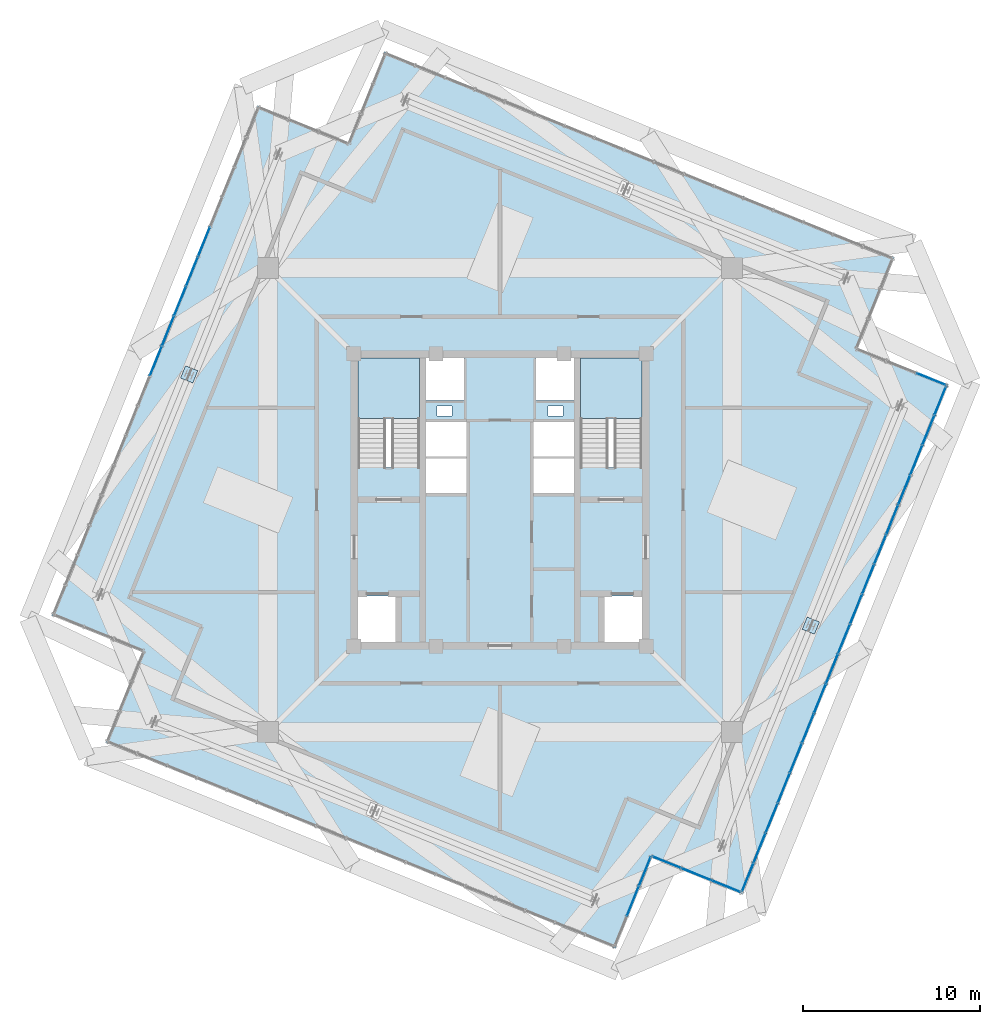
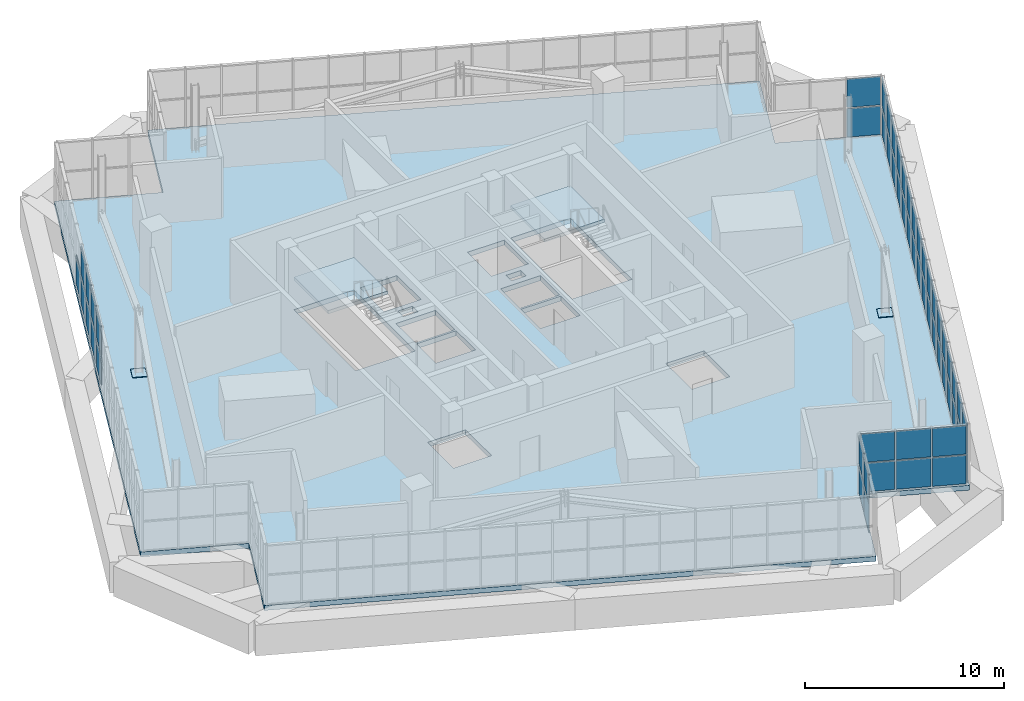
# One storey, part 28 of 35: 57 plates, 3 slabs, 7 elements without a shape of their own.
"""IFC4 building model written with IfcOpenShell, lengths in metres."""

from ifc_helpers import new_model, si_unit, direction, frame, origin, origin_2d, place, context, subcontext, project, spatial, polyline, rectangle, outline, extrude, source, transform, mapped, material, layer, layer_set, type_object, element, aggregate, save


model = new_model("IFC4")

# Units and contexts
model_context = context("Model", 3, precision=1e-05, world=origin(), true_north=direction((0.0, 1.0)))
body_context = subcontext(model_context, "Body", "Model", "MODEL_VIEW")
ifc_project = project(units=[si_unit("LENGTHUNIT", "METRE"), si_unit("AREAUNIT", "SQUARE_METRE"), si_unit("VOLUMEUNIT", "CUBIC_METRE"), si_unit("PLANEANGLEUNIT", "RADIAN"), si_unit("MASSUNIT", "GRAM", prefix="KILO"), si_unit("THERMODYNAMICTEMPERATUREUNIT", "KELVIN")], contexts=[model_context])

# Site, building, storey
site_placement = place(None, origin())
site = spatial("IfcSite", under=ifc_project, at=site_placement, CompositionType="ELEMENT")
building_placement = place(site_placement, origin())
building = spatial("IfcBuilding", under=site, at=building_placement, Name="Kosmvard Interchange Tower", CompositionType="ELEMENT")
storey_placement = place(building_placement, frame((0.0, 0.0, 321.60009765625)))
storey = spatial("IfcBuildingStorey", under=building, at=storey_placement, Name="L79", CompositionType="ELEMENT", Elevation=321.60009765625)

# Slab
ifc_material_1 = material(Name="Concrete C50/60", Category="concrete")
ifc_layer_1 = layer(ifc_material_1, 0.300048828125, Name="Concrete C50/60")
ifc_layer_set_1 = layer_set([ifc_layer_1], Name="Concrete C50/60")
slab_type_1 = type_object("IfcSlabType", Name="Crown Plant Equipment Slab 300 C50/60", PredefinedType="FLOOR", material=ifc_layer_set_1)
slab_1_placement = place(storey_placement, frame((0.0, 0.0, -0.300048828125)))
element("IfcSlab", 1, at=slab_1_placement, inside=storey, type_object=slab_type_1, Name="L79 Structural Floor Slab", PredefinedType="FLOOR", context=body_context, shape_type="SweptSolid", body=[
    extrude(outline(polyline([(13.66455078125, -22.238037109375), (25.27734375, 6.504638671875), (20.177734375, 8.56494140625), (22.238037109375, 13.66455078125), (-6.504638671875, 25.27734375), (-8.56494140625, 20.177734375), (-13.66455078125, 22.238037109375), (-25.27734375, -6.504638671875), (-20.177734375, -8.56494140625), (-22.238037109375, -13.66455078125), (6.504638671875, -25.27734375), (8.56494140625, -20.177734375), (13.66455078125, -22.238037109375)]), holes=[polyline([(-8.0, 1.8349609375), (-4.5400390625, 1.8349609375), (-4.5400390625, 8.0), (-8.0, 8.0), (-8.0, 1.8349609375)]), polyline([(4.5400390625, 1.8349609375), (8.0, 1.8349609375), (8.0, 8.0), (4.5400390625, 8.0), (4.5400390625, 1.8349609375)]), polyline([(-8.0, -8.0), (-5.800048828125, -8.0), (-5.800048828125, -5.39990234375), (-8.0, -5.39990234375), (-8.0, -8.0)]), polyline([(5.800048828125, -8.0), (8.0, -8.0), (8.0, -5.39990234375), (5.800048828125, -5.39990234375), (5.800048828125, -8.0)]), polyline([(-4.179931640625, 0.39990234375), (-1.8798828125, 0.39990234375), (-1.8798828125, 2.340087890625), (-4.179931640625, 2.340087890625), (-4.179931640625, 0.39990234375)]), polyline([(-4.179931640625, 2.4599609375), (-1.8798828125, 2.4599609375), (-1.8798828125, 4.39990234375), (-4.179931640625, 4.39990234375), (-4.179931640625, 2.4599609375)]), polyline([(1.8798828125, 0.39990234375), (4.179931640625, 0.39990234375), (4.179931640625, 2.340087890625), (1.8798828125, 2.340087890625), (1.8798828125, 0.39990234375)]), polyline([(1.8798828125, 2.4599609375), (4.179931640625, 2.4599609375), (4.179931640625, 4.39990234375), (1.8798828125, 4.39990234375), (1.8798828125, 2.4599609375)]), polyline([(-4.179931640625, 5.60009765625), (-2.0400390625, 5.60009765625), (-2.0400390625, 8.0), (-4.179931640625, 8.0), (-4.179931640625, 5.60009765625)]), polyline([(2.0400390625, 5.60009765625), (4.179931640625, 5.60009765625), (4.179931640625, 8.0), (2.0400390625, 8.0), (2.0400390625, 5.60009765625)]), polyline([(-3.56494140625, 4.739990234375), (-2.715087890625, 4.739990234375), (-2.715087890625, 5.2900390625), (-3.56494140625, 5.2900390625), (-3.56494140625, 4.739990234375)]), polyline([(2.715087890625, 4.739990234375), (3.56494140625, 4.739990234375), (3.56494140625, 5.2900390625), (2.715087890625, 5.2900390625), (2.715087890625, 4.739990234375)])]), origin(), (0.0, 0.0, 1.0), 0.300048828125),
])

# Stair, slab
stair_type = type_object("IfcStairType", Name="Dog-Leg Core Exit Stair H4000 C50/60", PredefinedType="HALF_TURN_STAIR", material=ifc_material_1)
stair_1_placement = place(storey_placement, origin())
stair_1 = element("IfcStair", 2, at=stair_1_placement, inside=storey, type_object=stair_type, Name="L79 Protected Exit Stair ST-1", PredefinedType="HALF_TURN_STAIR")
ifc_layer_2 = layer(ifc_material_1, 0.199951171875, Name="Concrete C50/60")
ifc_layer_set_2 = layer_set([ifc_layer_2], Name="Concrete C50/60")
slab_type_2 = type_object("IfcSlabType", Name="Stair Half-Landing Slab 200 C50/60", PredefinedType="LANDING", material=ifc_layer_set_2)
slab_2_placement = place(storey_placement, frame((0.0, 0.0, 1.7998046875)))
slab_2 = element("IfcSlab", 3, at=slab_2_placement, type_object=slab_type_2, Name="ST-1 landing 1", PredefinedType="LANDING", context=body_context, shape_type="SweptSolid", body=[
    extrude(outline(polyline([(-4.5400390625, 4.60009765625), (-4.5400390625, 8.0), (-8.0, 8.0), (-8.0, 4.60009765625), (-4.5400390625, 4.60009765625)])), origin(), (0.0, 0.0, 1.0), 0.2001953125),
])
aggregate(stair_1, [slab_2])

stair_2_placement = place(storey_placement, origin())
stair_2 = element("IfcStair", 4, at=stair_2_placement, inside=storey, type_object=stair_type, Name="L79 Protected Exit Stair ST-2", PredefinedType="HALF_TURN_STAIR")
slab_3_placement = place(storey_placement, frame((0.0, 0.0, 1.7998046875)))
slab_3 = element("IfcSlab", 5, at=slab_3_placement, type_object=slab_type_2, Name="ST-2 landing 1", PredefinedType="LANDING", context=body_context, shape_type="SweptSolid", body=[
    extrude(outline(polyline([(8.0, 4.60009765625), (8.0, 8.0), (4.5400390625, 8.0), (4.5400390625, 4.60009765625), (8.0, 4.60009765625)])), origin(), (0.0, 0.0, 1.0), 0.2001953125),
])
aggregate(stair_2, [slab_3])

# Plates
ifc_material_2 = material(Name="Steel S355", Category="steel")
ifc_layer_3 = layer(ifc_material_2, 0.0380859375, Name="Steel S355")
ifc_layer_set_3 = layer_set([ifc_layer_3], Name="Steel S355")
plate_type_1 = type_object("IfcPlateType", Name="Lantern Base & Chord End Cap Stiffener 750x750x38 S355", PredefinedType="USERDEFINED", material=ifc_layer_set_3)
shared_shape_1 = source(origin(), body_context, "Body", "SweptSolid", [
    extrude(rectangle(XDim=0.75, YDim=0.75, at=origin_2d()), origin(), (0.0, 0.0, 1.0), 0.0380859375),
])
for number, where, z_axis, x_axis, name in (
    (6, (17.523681640625, -7.080078125, -0.000244140625), (0.0, 0.0, 1.0), (0.374606593416, 0.927183854567, 0.0), "Crown Lantern Leg Base Plate LL-S2"),
    (7, (-17.523681640625, 7.080078125, -0.000244140625), (0.0, 0.0, 1.0), (0.374606593416, 0.927183854567, 0.0), "Crown Lantern Leg Base Plate LL-N2"),
):
    element("IfcPlate", number, at=place(storey_placement, frame(where, z_axis=z_axis, x_axis=x_axis)), inside=storey, type_object=plate_type_1, Name=name, ObjectType="STIFFENER_PLATE", PredefinedType="USERDEFINED", context=body_context, shape_type="MappedRepresentation", body=[
        mapped(shared_shape_1, transform((0.0, 0.0, 0.0), scale=1.0)),
    ])

# Curtain wall, plates
ifc_material_3 = material(Name="Architectural anodised aluminium", Category="aluminium")
ifc_layer_4 = layer(ifc_material_3, 0.25, Name="Architectural anodised aluminium")
ifc_layer_set_4 = layer_set([ifc_layer_4], Name="Architectural anodised aluminium")
curtain_wall_type = type_object("IfcCurtainWallType", Name="CW-6 Illuminated Crown Lantern Curtain Wall", PredefinedType="NOTDEFINED", material=ifc_layer_set_4)
curtain_wall_1_placement = place(storey_placement, origin())
curtain_wall_1 = element("IfcCurtainWall", 8, at=curtain_wall_1_placement, inside=storey, type_object=curtain_wall_type, Name="L79 Crown Lantern Glazing Face 01", PredefinedType="NOTDEFINED")
ifc_material_4 = material(Name="Laminated acoustic lantern glazing", Category="glass")
ifc_layer_5 = layer(ifc_material_4, 0.035888671875, Name="Laminated acoustic lantern glazing")
ifc_layer_set_5 = layer_set([ifc_layer_5], Name="Laminated acoustic lantern glazing")
plate_type_2 = type_object("IfcPlateType", Name="Lantern Diffused Illuminated Panel 36", PredefinedType="CURTAIN_PANEL", material=ifc_layer_set_5)
shared_shape_2 = source(origin(), body_context, "Body", "SweptSolid", [
    extrude(rectangle(XDim=1.694091796875, YDim=0.035888671875, at=origin_2d()), origin(), (0.0, 0.0, 1.0), 1.7451171875),
])
plate_1_placement = place(storey_placement, frame((13.967529296875, -21.2744140625, 0.06982421875), z_axis=(0.0, 0.0, 1.0), x_axis=(0.374606584758, 0.927183858065, 0.0)))
plate_1 = element("IfcPlate", 9, at=plate_1_placement, type_object=plate_type_2, Name="CW-6 panel 1.1", PredefinedType="CURTAIN_PANEL", context=body_context, shape_type="MappedRepresentation", body=[
    mapped(shared_shape_2, transform((0.0, 0.0, 0.0), scale=1.0)),
])
plate_2_placement = place(storey_placement, frame((13.967529296875, -21.2744140625, 1.884765625), z_axis=(0.0, 0.0, 1.0), x_axis=(0.374606584758, 0.927183858065, 0.0)))
plate_2 = element("IfcPlate", 10, at=plate_2_placement, type_object=plate_type_2, Name="CW-6 panel 1.2", PredefinedType="CURTAIN_PANEL", context=body_context, shape_type="MappedRepresentation", body=[
    mapped(shared_shape_2, transform((0.0, 0.0, 0.0), scale=1.0)),
])
plate_3_placement = place(storey_placement, frame((24.825927734375, 5.600830078125, 0.06982421875), z_axis=(0.0, 0.0, 1.0), x_axis=(0.374606584758, 0.927183858065, 0.0)))
plate_3 = element("IfcPlate", 11, at=plate_3_placement, type_object=plate_type_2, Name="CW-6 panel 17.1", PredefinedType="CURTAIN_PANEL", context=body_context, shape_type="MappedRepresentation", body=[
    mapped(shared_shape_2, transform((0.0, 0.0, 0.0), scale=1.0)),
])
plate_4_placement = place(storey_placement, frame((24.825927734375, 5.600830078125, 1.884765625), z_axis=(0.0, 0.0, 1.0), x_axis=(0.374606584758, 0.927183858065, 0.0)))
plate_4 = element("IfcPlate", 12, at=plate_4_placement, type_object=plate_type_2, Name="CW-6 panel 17.2", PredefinedType="CURTAIN_PANEL", context=body_context, shape_type="MappedRepresentation", body=[
    mapped(shared_shape_2, transform((0.0, 0.0, 0.0), scale=1.0)),
])
shared_shape_3 = source(origin(), body_context, "Body", "SweptSolid", [
    extrude(rectangle(XDim=1.734130859375, YDim=0.035888671875, at=origin_2d()), origin(), (0.0, 0.0, 1.0), 1.7451171875),
])
plate_5_placement = place(storey_placement, frame((14.6396484375, -19.61083984375, 0.06982421875), z_axis=(0.0, 0.0, 1.0), x_axis=(0.374606584758, 0.927183858065, 0.0)))
plate_5 = element("IfcPlate", 13, at=plate_5_placement, type_object=plate_type_2, Name="CW-6 panel 2.1", PredefinedType="CURTAIN_PANEL", context=body_context, shape_type="MappedRepresentation", body=[
    mapped(shared_shape_3, transform((0.0, 0.0, 0.0), scale=1.0)),
])
plate_6_placement = place(storey_placement, frame((14.6396484375, -19.61083984375, 1.884765625), z_axis=(0.0, 0.0, 1.0), x_axis=(0.374606584758, 0.927183858065, 0.0)))
plate_6 = element("IfcPlate", 14, at=plate_6_placement, type_object=plate_type_2, Name="CW-6 panel 2.2", PredefinedType="CURTAIN_PANEL", context=body_context, shape_type="MappedRepresentation", body=[
    mapped(shared_shape_3, transform((0.0, 0.0, 0.0), scale=1.0)),
])
plate_7_placement = place(storey_placement, frame((15.319091796875, -17.928955078125, 0.06982421875), z_axis=(0.0, 0.0, 1.0), x_axis=(0.374606584758, 0.927183858065, 0.0)))
plate_7 = element("IfcPlate", 15, at=plate_7_placement, type_object=plate_type_2, Name="CW-6 panel 3.1", PredefinedType="CURTAIN_PANEL", context=body_context, shape_type="MappedRepresentation", body=[
    mapped(shared_shape_3, transform((0.0, 0.0, 0.0), scale=1.0)),
])
plate_8_placement = place(storey_placement, frame((15.319091796875, -17.928955078125, 1.884765625), z_axis=(0.0, 0.0, 1.0), x_axis=(0.374606584758, 0.927183858065, 0.0)))
plate_8 = element("IfcPlate", 16, at=plate_8_placement, type_object=plate_type_2, Name="CW-6 panel 3.2", PredefinedType="CURTAIN_PANEL", context=body_context, shape_type="MappedRepresentation", body=[
    mapped(shared_shape_3, transform((0.0, 0.0, 0.0), scale=1.0)),
])
plate_9_placement = place(storey_placement, frame((15.998779296875, -16.246826171875, 0.06982421875), z_axis=(0.0, 0.0, 1.0), x_axis=(0.374606584758, 0.927183858065, 0.0)))
plate_9 = element("IfcPlate", 17, at=plate_9_placement, type_object=plate_type_2, Name="CW-6 panel 4.1", PredefinedType="CURTAIN_PANEL", context=body_context, shape_type="MappedRepresentation", body=[
    mapped(shared_shape_3, transform((0.0, 0.0, 0.0), scale=1.0)),
])
plate_10_placement = place(storey_placement, frame((15.998779296875, -16.246826171875, 1.884765625), z_axis=(0.0, 0.0, 1.0), x_axis=(0.374606584758, 0.927183858065, 0.0)))
plate_10 = element("IfcPlate", 18, at=plate_10_placement, type_object=plate_type_2, Name="CW-6 panel 4.2", PredefinedType="CURTAIN_PANEL", context=body_context, shape_type="MappedRepresentation", body=[
    mapped(shared_shape_3, transform((0.0, 0.0, 0.0), scale=1.0)),
])
plate_11_placement = place(storey_placement, frame((16.678466796875, -14.56494140625, 0.06982421875), z_axis=(0.0, 0.0, 1.0), x_axis=(0.374606584758, 0.927183858065, 0.0)))
plate_11 = element("IfcPlate", 19, at=plate_11_placement, type_object=plate_type_2, Name="CW-6 panel 5.1", PredefinedType="CURTAIN_PANEL", context=body_context, shape_type="MappedRepresentation", body=[
    mapped(shared_shape_3, transform((0.0, 0.0, 0.0), scale=1.0)),
])
plate_12_placement = place(storey_placement, frame((16.678466796875, -14.56494140625, 1.884765625), z_axis=(0.0, 0.0, 1.0), x_axis=(0.374606584758, 0.927183858065, 0.0)))
plate_12 = element("IfcPlate", 20, at=plate_12_placement, type_object=plate_type_2, Name="CW-6 panel 5.2", PredefinedType="CURTAIN_PANEL", context=body_context, shape_type="MappedRepresentation", body=[
    mapped(shared_shape_3, transform((0.0, 0.0, 0.0), scale=1.0)),
])
plate_13_placement = place(storey_placement, frame((17.35791015625, -12.8828125, 0.06982421875), z_axis=(0.0, 0.0, 1.0), x_axis=(0.374606584758, 0.927183858065, 0.0)))
plate_13 = element("IfcPlate", 21, at=plate_13_placement, type_object=plate_type_2, Name="CW-6 panel 6.1", PredefinedType="CURTAIN_PANEL", context=body_context, shape_type="MappedRepresentation", body=[
    mapped(shared_shape_3, transform((0.0, 0.0, 0.0), scale=1.0)),
])
plate_14_placement = place(storey_placement, frame((17.35791015625, -12.8828125, 1.884765625), z_axis=(0.0, 0.0, 1.0), x_axis=(0.374606584758, 0.927183858065, 0.0)))
plate_14 = element("IfcPlate", 22, at=plate_14_placement, type_object=plate_type_2, Name="CW-6 panel 6.2", PredefinedType="CURTAIN_PANEL", context=body_context, shape_type="MappedRepresentation", body=[
    mapped(shared_shape_3, transform((0.0, 0.0, 0.0), scale=1.0)),
])
plate_15_placement = place(storey_placement, frame((18.03759765625, -11.200927734375, 0.06982421875), z_axis=(0.0, 0.0, 1.0), x_axis=(0.374606584758, 0.927183858065, 0.0)))
plate_15 = element("IfcPlate", 23, at=plate_15_placement, type_object=plate_type_2, Name="CW-6 panel 7.1", PredefinedType="CURTAIN_PANEL", context=body_context, shape_type="MappedRepresentation", body=[
    mapped(shared_shape_3, transform((0.0, 0.0, 0.0), scale=1.0)),
])
plate_16_placement = place(storey_placement, frame((18.03759765625, -11.200927734375, 1.884765625), z_axis=(0.0, 0.0, 1.0), x_axis=(0.374606584758, 0.927183858065, 0.0)))
plate_16 = element("IfcPlate", 24, at=plate_16_placement, type_object=plate_type_2, Name="CW-6 panel 7.2", PredefinedType="CURTAIN_PANEL", context=body_context, shape_type="MappedRepresentation", body=[
    mapped(shared_shape_3, transform((0.0, 0.0, 0.0), scale=1.0)),
])
plate_17_placement = place(storey_placement, frame((18.717041015625, -9.518798828125, 0.06982421875), z_axis=(0.0, 0.0, 1.0), x_axis=(0.374606584758, 0.927183858065, 0.0)))
plate_17 = element("IfcPlate", 25, at=plate_17_placement, type_object=plate_type_2, Name="CW-6 panel 8.1", PredefinedType="CURTAIN_PANEL", context=body_context, shape_type="MappedRepresentation", body=[
    mapped(shared_shape_3, transform((0.0, 0.0, 0.0), scale=1.0)),
])
plate_18_placement = place(storey_placement, frame((18.717041015625, -9.518798828125, 1.884765625), z_axis=(0.0, 0.0, 1.0), x_axis=(0.374606584758, 0.927183858065, 0.0)))
plate_18 = element("IfcPlate", 26, at=plate_18_placement, type_object=plate_type_2, Name="CW-6 panel 8.2", PredefinedType="CURTAIN_PANEL", context=body_context, shape_type="MappedRepresentation", body=[
    mapped(shared_shape_3, transform((0.0, 0.0, 0.0), scale=1.0)),
])
plate_19_placement = place(storey_placement, frame((19.396728515625, -7.836669921875, 0.06982421875), z_axis=(0.0, 0.0, 1.0), x_axis=(0.374606584758, 0.927183858065, 0.0)))
plate_19 = element("IfcPlate", 27, at=plate_19_placement, type_object=plate_type_2, Name="CW-6 panel 9.1", PredefinedType="CURTAIN_PANEL", context=body_context, shape_type="MappedRepresentation", body=[
    mapped(shared_shape_3, transform((0.0, 0.0, 0.0), scale=1.0)),
])
plate_20_placement = place(storey_placement, frame((19.396728515625, -7.836669921875, 1.884765625), z_axis=(0.0, 0.0, 1.0), x_axis=(0.374606584758, 0.927183858065, 0.0)))
plate_20 = element("IfcPlate", 28, at=plate_20_placement, type_object=plate_type_2, Name="CW-6 panel 9.2", PredefinedType="CURTAIN_PANEL", context=body_context, shape_type="MappedRepresentation", body=[
    mapped(shared_shape_3, transform((0.0, 0.0, 0.0), scale=1.0)),
])
plate_21_placement = place(storey_placement, frame((20.076171875, -6.15478515625, 0.06982421875), z_axis=(0.0, 0.0, 1.0), x_axis=(0.374606584758, 0.927183858065, 0.0)))
plate_21 = element("IfcPlate", 29, at=plate_21_placement, type_object=plate_type_2, Name="CW-6 panel 10.1", PredefinedType="CURTAIN_PANEL", context=body_context, shape_type="MappedRepresentation", body=[
    mapped(shared_shape_3, transform((0.0, 0.0, 0.0), scale=1.0)),
])
plate_22_placement = place(storey_placement, frame((20.076171875, -6.15478515625, 1.884765625), z_axis=(0.0, 0.0, 1.0), x_axis=(0.374606584758, 0.927183858065, 0.0)))
plate_22 = element("IfcPlate", 30, at=plate_22_placement, type_object=plate_type_2, Name="CW-6 panel 10.2", PredefinedType="CURTAIN_PANEL", context=body_context, shape_type="MappedRepresentation", body=[
    mapped(shared_shape_3, transform((0.0, 0.0, 0.0), scale=1.0)),
])
plate_23_placement = place(storey_placement, frame((20.755859375, -4.47265625, 0.06982421875), z_axis=(0.0, 0.0, 1.0), x_axis=(0.374606584758, 0.927183858065, 0.0)))
plate_23 = element("IfcPlate", 31, at=plate_23_placement, type_object=plate_type_2, Name="CW-6 panel 11.1", PredefinedType="CURTAIN_PANEL", context=body_context, shape_type="MappedRepresentation", body=[
    mapped(shared_shape_3, transform((0.0, 0.0, 0.0), scale=1.0)),
])
plate_24_placement = place(storey_placement, frame((20.755859375, -4.47265625, 1.884765625), z_axis=(0.0, 0.0, 1.0), x_axis=(0.374606584758, 0.927183858065, 0.0)))
plate_24 = element("IfcPlate", 32, at=plate_24_placement, type_object=plate_type_2, Name="CW-6 panel 11.2", PredefinedType="CURTAIN_PANEL", context=body_context, shape_type="MappedRepresentation", body=[
    mapped(shared_shape_3, transform((0.0, 0.0, 0.0), scale=1.0)),
])
plate_25_placement = place(storey_placement, frame((21.435546875, -2.790771484375, 0.06982421875), z_axis=(0.0, 0.0, 1.0), x_axis=(0.374606584758, 0.927183858065, 0.0)))
plate_25 = element("IfcPlate", 33, at=plate_25_placement, type_object=plate_type_2, Name="CW-6 panel 12.1", PredefinedType="CURTAIN_PANEL", context=body_context, shape_type="MappedRepresentation", body=[
    mapped(shared_shape_3, transform((0.0, 0.0, 0.0), scale=1.0)),
])
plate_26_placement = place(storey_placement, frame((21.435546875, -2.790771484375, 1.884765625), z_axis=(0.0, 0.0, 1.0), x_axis=(0.374606584758, 0.927183858065, 0.0)))
plate_26 = element("IfcPlate", 34, at=plate_26_placement, type_object=plate_type_2, Name="CW-6 panel 12.2", PredefinedType="CURTAIN_PANEL", context=body_context, shape_type="MappedRepresentation", body=[
    mapped(shared_shape_3, transform((0.0, 0.0, 0.0), scale=1.0)),
])
plate_27_placement = place(storey_placement, frame((22.114990234375, -1.108642578125, 0.06982421875), z_axis=(0.0, 0.0, 1.0), x_axis=(0.374606584758, 0.927183858065, 0.0)))
plate_27 = element("IfcPlate", 35, at=plate_27_placement, type_object=plate_type_2, Name="CW-6 panel 13.1", PredefinedType="CURTAIN_PANEL", context=body_context, shape_type="MappedRepresentation", body=[
    mapped(shared_shape_3, transform((0.0, 0.0, 0.0), scale=1.0)),
])
plate_28_placement = place(storey_placement, frame((22.114990234375, -1.108642578125, 1.884765625), z_axis=(0.0, 0.0, 1.0), x_axis=(0.374606584758, 0.927183858065, 0.0)))
plate_28 = element("IfcPlate", 36, at=plate_28_placement, type_object=plate_type_2, Name="CW-6 panel 13.2", PredefinedType="CURTAIN_PANEL", context=body_context, shape_type="MappedRepresentation", body=[
    mapped(shared_shape_3, transform((0.0, 0.0, 0.0), scale=1.0)),
])
plate_29_placement = place(storey_placement, frame((22.794677734375, 0.5732421875, 0.06982421875), z_axis=(0.0, 0.0, 1.0), x_axis=(0.374606584758, 0.927183858065, 0.0)))
plate_29 = element("IfcPlate", 37, at=plate_29_placement, type_object=plate_type_2, Name="CW-6 panel 14.1", PredefinedType="CURTAIN_PANEL", context=body_context, shape_type="MappedRepresentation", body=[
    mapped(shared_shape_3, transform((0.0, 0.0, 0.0), scale=1.0)),
])
plate_30_placement = place(storey_placement, frame((22.794677734375, 0.5732421875, 1.884765625), z_axis=(0.0, 0.0, 1.0), x_axis=(0.374606584758, 0.927183858065, 0.0)))
plate_30 = element("IfcPlate", 38, at=plate_30_placement, type_object=plate_type_2, Name="CW-6 panel 14.2", PredefinedType="CURTAIN_PANEL", context=body_context, shape_type="MappedRepresentation", body=[
    mapped(shared_shape_3, transform((0.0, 0.0, 0.0), scale=1.0)),
])
plate_31_placement = place(storey_placement, frame((23.47412109375, 2.25537109375, 0.06982421875), z_axis=(0.0, 0.0, 1.0), x_axis=(0.374606584758, 0.927183858065, 0.0)))
plate_31 = element("IfcPlate", 39, at=plate_31_placement, type_object=plate_type_2, Name="CW-6 panel 15.1", PredefinedType="CURTAIN_PANEL", context=body_context, shape_type="MappedRepresentation", body=[
    mapped(shared_shape_3, transform((0.0, 0.0, 0.0), scale=1.0)),
])
plate_32_placement = place(storey_placement, frame((23.47412109375, 2.25537109375, 1.884765625), z_axis=(0.0, 0.0, 1.0), x_axis=(0.374606584758, 0.927183858065, 0.0)))
plate_32 = element("IfcPlate", 40, at=plate_32_placement, type_object=plate_type_2, Name="CW-6 panel 15.2", PredefinedType="CURTAIN_PANEL", context=body_context, shape_type="MappedRepresentation", body=[
    mapped(shared_shape_3, transform((0.0, 0.0, 0.0), scale=1.0)),
])
plate_33_placement = place(storey_placement, frame((24.15380859375, 3.937255859375, 0.06982421875), z_axis=(0.0, 0.0, 1.0), x_axis=(0.374606584758, 0.927183858065, 0.0)))
plate_33 = element("IfcPlate", 41, at=plate_33_placement, type_object=plate_type_2, Name="CW-6 panel 16.1", PredefinedType="CURTAIN_PANEL", context=body_context, shape_type="MappedRepresentation", body=[
    mapped(shared_shape_3, transform((0.0, 0.0, 0.0), scale=1.0)),
])
plate_34_placement = place(storey_placement, frame((24.15380859375, 3.937255859375, 1.884765625), z_axis=(0.0, 0.0, 1.0), x_axis=(0.374606584758, 0.927183858065, 0.0)))
plate_34 = element("IfcPlate", 42, at=plate_34_placement, type_object=plate_type_2, Name="CW-6 panel 16.2", PredefinedType="CURTAIN_PANEL", context=body_context, shape_type="MappedRepresentation", body=[
    mapped(shared_shape_3, transform((0.0, 0.0, 0.0), scale=1.0)),
])
aggregate(curtain_wall_1, [plate_1, plate_2, plate_5, plate_6, plate_7, plate_8, plate_9, plate_10, plate_11, plate_12, plate_13, plate_14, plate_15, plate_16, plate_17, plate_18, plate_19, plate_20, plate_21, plate_22, plate_23, plate_24, plate_25, plate_26, plate_27, plate_28, plate_29, plate_30, plate_31, plate_32, plate_33, plate_34, plate_3, plate_4])

curtain_wall_2_placement = place(storey_placement, origin())
curtain_wall_2 = element("IfcCurtainWall", 43, at=curtain_wall_2_placement, inside=storey, type_object=curtain_wall_type, Name="L79 Crown Lantern Glazing Face 07", PredefinedType="NOTDEFINED")
plate_35_placement = place(storey_placement, frame((-16.678466796875, 14.56494140625, 0.06982421875), z_axis=(0.0, 0.0, 1.0), x_axis=(-0.374606584758, -0.927183858065, 0.0)))
plate_35 = element("IfcPlate", 44, at=plate_35_placement, type_object=plate_type_2, Name="CW-6 panel 5.1", PredefinedType="CURTAIN_PANEL", context=body_context, shape_type="MappedRepresentation", body=[
    mapped(shared_shape_3, transform((0.0, 0.0, 0.0), scale=1.0)),
])
plate_36_placement = place(storey_placement, frame((-17.35791015625, 12.8828125, 0.06982421875), z_axis=(0.0, 0.0, 1.0), x_axis=(-0.374606584758, -0.927183858065, 0.0)))
plate_36 = element("IfcPlate", 45, at=plate_36_placement, type_object=plate_type_2, Name="CW-6 panel 6.1", PredefinedType="CURTAIN_PANEL", context=body_context, shape_type="MappedRepresentation", body=[
    mapped(shared_shape_3, transform((0.0, 0.0, 0.0), scale=1.0)),
])
plate_37_placement = place(storey_placement, frame((-17.35791015625, 12.8828125, 1.884765625), z_axis=(0.0, 0.0, 1.0), x_axis=(-0.374606584758, -0.927183858065, 0.0)))
plate_37 = element("IfcPlate", 46, at=plate_37_placement, type_object=plate_type_2, Name="CW-6 panel 6.2", PredefinedType="CURTAIN_PANEL", context=body_context, shape_type="MappedRepresentation", body=[
    mapped(shared_shape_3, transform((0.0, 0.0, 0.0), scale=1.0)),
])
plate_38_placement = place(storey_placement, frame((-18.03759765625, 11.200927734375, 0.06982421875), z_axis=(0.0, 0.0, 1.0), x_axis=(-0.374606584758, -0.927183858065, 0.0)))
plate_38 = element("IfcPlate", 47, at=plate_38_placement, type_object=plate_type_2, Name="CW-6 panel 7.1", PredefinedType="CURTAIN_PANEL", context=body_context, shape_type="MappedRepresentation", body=[
    mapped(shared_shape_3, transform((0.0, 0.0, 0.0), scale=1.0)),
])
plate_39_placement = place(storey_placement, frame((-18.03759765625, 11.200927734375, 1.884765625), z_axis=(0.0, 0.0, 1.0), x_axis=(-0.374606584758, -0.927183858065, 0.0)))
plate_39 = element("IfcPlate", 48, at=plate_39_placement, type_object=plate_type_2, Name="CW-6 panel 7.2", PredefinedType="CURTAIN_PANEL", context=body_context, shape_type="MappedRepresentation", body=[
    mapped(shared_shape_3, transform((0.0, 0.0, 0.0), scale=1.0)),
])
plate_40_placement = place(storey_placement, frame((-18.717041015625, 9.518798828125, 0.06982421875), z_axis=(0.0, 0.0, 1.0), x_axis=(-0.374606584758, -0.927183858065, 0.0)))
plate_40 = element("IfcPlate", 49, at=plate_40_placement, type_object=plate_type_2, Name="CW-6 panel 8.1", PredefinedType="CURTAIN_PANEL", context=body_context, shape_type="MappedRepresentation", body=[
    mapped(shared_shape_3, transform((0.0, 0.0, 0.0), scale=1.0)),
])
plate_41_placement = place(storey_placement, frame((-18.717041015625, 9.518798828125, 1.884765625), z_axis=(0.0, 0.0, 1.0), x_axis=(-0.374606584758, -0.927183858065, 0.0)))
plate_41 = element("IfcPlate", 50, at=plate_41_placement, type_object=plate_type_2, Name="CW-6 panel 8.2", PredefinedType="CURTAIN_PANEL", context=body_context, shape_type="MappedRepresentation", body=[
    mapped(shared_shape_3, transform((0.0, 0.0, 0.0), scale=1.0)),
])
plate_42_placement = place(storey_placement, frame((-19.396728515625, 7.836669921875, 0.06982421875), z_axis=(0.0, 0.0, 1.0), x_axis=(-0.374606584758, -0.927183858065, 0.0)))
plate_42 = element("IfcPlate", 51, at=plate_42_placement, type_object=plate_type_2, Name="CW-6 panel 9.1", PredefinedType="CURTAIN_PANEL", context=body_context, shape_type="MappedRepresentation", body=[
    mapped(shared_shape_3, transform((0.0, 0.0, 0.0), scale=1.0)),
])
plate_43_placement = place(storey_placement, frame((-19.396728515625, 7.836669921875, 1.884765625), z_axis=(0.0, 0.0, 1.0), x_axis=(-0.374606584758, -0.927183858065, 0.0)))
plate_43 = element("IfcPlate", 52, at=plate_43_placement, type_object=plate_type_2, Name="CW-6 panel 9.2", PredefinedType="CURTAIN_PANEL", context=body_context, shape_type="MappedRepresentation", body=[
    mapped(shared_shape_3, transform((0.0, 0.0, 0.0), scale=1.0)),
])
aggregate(curtain_wall_2, [plate_35, plate_36, plate_37, plate_38, plate_39, plate_40, plate_41, plate_42, plate_43])

curtain_wall_3_placement = place(storey_placement, origin())
curtain_wall_3 = element("IfcCurtainWall", 53, at=curtain_wall_3_placement, inside=storey, type_object=curtain_wall_type, Name="L79 Crown Lantern Glazing Face 02", PredefinedType="NOTDEFINED")
shared_shape_4 = source(origin(), body_context, "Body", "SweptSolid", [
    extrude(rectangle(XDim=1.71337890625, YDim=0.035888671875, at=origin_2d()), origin(), (0.0, 0.0, 1.0), 1.7451171875),
])
plate_44_placement = place(storey_placement, frame((24.3046875, 6.811279296875, 0.06982421875), z_axis=(0.0, 0.0, 1.0), x_axis=(-0.92718386612, 0.374606564822, 0.0)))
plate_44 = element("IfcPlate", 54, at=plate_44_placement, type_object=plate_type_2, Name="CW-6 panel 1.1", PredefinedType="CURTAIN_PANEL", context=body_context, shape_type="MappedRepresentation", body=[
    mapped(shared_shape_4, transform((0.0, 0.0, 0.0), scale=1.0)),
])
plate_45_placement = place(storey_placement, frame((24.3046875, 6.811279296875, 1.884765625), z_axis=(0.0, 0.0, 1.0), x_axis=(-0.92718386612, 0.374606564822, 0.0)))
plate_45 = element("IfcPlate", 55, at=plate_45_placement, type_object=plate_type_2, Name="CW-6 panel 1.2", PredefinedType="CURTAIN_PANEL", context=body_context, shape_type="MappedRepresentation", body=[
    mapped(shared_shape_4, transform((0.0, 0.0, 0.0), scale=1.0)),
])
aggregate(curtain_wall_3, [plate_44, plate_45])

curtain_wall_4_placement = place(storey_placement, origin())
curtain_wall_4 = element("IfcCurtainWall", 56, at=curtain_wall_4_placement, inside=storey, type_object=curtain_wall_type, Name="L79 Crown Lantern Glazing Face 11", PredefinedType="NOTDEFINED")
plate_46_placement = place(storey_placement, frame((8.169921875, -20.942138671875, 0.06982421875), z_axis=(0.0, 0.0, 1.0), x_axis=(0.374606564822, 0.92718386612, 0.0)))
plate_46 = element("IfcPlate", 57, at=plate_46_placement, type_object=plate_type_2, Name="CW-6 panel 3.1", PredefinedType="CURTAIN_PANEL", context=body_context, shape_type="MappedRepresentation", body=[
    mapped(shared_shape_4, transform((0.0, 0.0, 0.0), scale=1.0)),
])
plate_47_placement = place(storey_placement, frame((8.169921875, -20.942138671875, 1.884765625), z_axis=(0.0, 0.0, 1.0), x_axis=(0.374606564822, 0.92718386612, 0.0)))
plate_47 = element("IfcPlate", 58, at=plate_47_placement, type_object=plate_type_2, Name="CW-6 panel 3.2", PredefinedType="CURTAIN_PANEL", context=body_context, shape_type="MappedRepresentation", body=[
    mapped(shared_shape_4, transform((0.0, 0.0, 0.0), scale=1.0)),
])

curtain_wall_5_placement = place(storey_placement, origin())
curtain_wall_5 = element("IfcCurtainWall", 59, at=curtain_wall_5_placement, inside=storey, type_object=curtain_wall_type, Name="L79 Crown Lantern Glazing Face 12", PredefinedType="NOTDEFINED")
plate_48_placement = place(storey_placement, frame((9.38916015625, -20.424560546875, 0.06982421875), z_axis=(0.0, 0.0, 1.0), x_axis=(0.927183891631, -0.374606501678, 0.0)))
plate_48 = element("IfcPlate", 60, at=plate_48_placement, type_object=plate_type_2, Name="CW-6 panel 1.1", PredefinedType="CURTAIN_PANEL", context=body_context, shape_type="MappedRepresentation", body=[
    mapped(shared_shape_4, transform((0.0, 0.0, 0.0), scale=1.0)),
])
plate_49_placement = place(storey_placement, frame((9.38916015625, -20.424560546875, 1.884765625), z_axis=(0.0, 0.0, 1.0), x_axis=(0.927183891631, -0.374606501678, 0.0)))
plate_49 = element("IfcPlate", 61, at=plate_49_placement, type_object=plate_type_2, Name="CW-6 panel 1.2", PredefinedType="CURTAIN_PANEL", context=body_context, shape_type="MappedRepresentation", body=[
    mapped(shared_shape_4, transform((0.0, 0.0, 0.0), scale=1.0)),
])
plate_50_placement = place(storey_placement, frame((12.751708984375, -21.782958984375, 0.06982421875), z_axis=(0.0, 0.0, 1.0), x_axis=(0.927183891631, -0.374606501678, 0.0)))
plate_50 = element("IfcPlate", 62, at=plate_50_placement, type_object=plate_type_2, Name="CW-6 panel 3.1", PredefinedType="CURTAIN_PANEL", context=body_context, shape_type="MappedRepresentation", body=[
    mapped(shared_shape_4, transform((0.0, 0.0, 0.0), scale=1.0)),
])
plate_51_placement = place(storey_placement, frame((12.751708984375, -21.782958984375, 1.884765625), z_axis=(0.0, 0.0, 1.0), x_axis=(0.927183891631, -0.374606501678, 0.0)))
plate_51 = element("IfcPlate", 63, at=plate_51_placement, type_object=plate_type_2, Name="CW-6 panel 3.2", PredefinedType="CURTAIN_PANEL", context=body_context, shape_type="MappedRepresentation", body=[
    mapped(shared_shape_4, transform((0.0, 0.0, 0.0), scale=1.0)),
])

# Plate
shared_shape_5 = source(origin(), body_context, "Body", "SweptSolid", [
    extrude(rectangle(XDim=1.75341796875, YDim=0.035888671875, at=origin_2d()), origin(), (0.0, 0.0, 1.0), 1.7451171875),
])
plate_52_placement = place(storey_placement, frame((7.490478515625, -22.623291015625, 0.06982421875), z_axis=(0.0, 0.0, 1.0), x_axis=(0.374606564822, 0.92718386612, 0.0)))
plate_52 = element("IfcPlate", 64, at=plate_52_placement, type_object=plate_type_2, Name="CW-6 panel 2.1", PredefinedType="CURTAIN_PANEL", context=body_context, shape_type="MappedRepresentation", body=[
    mapped(shared_shape_5, transform((0.0, 0.0, 0.0), scale=1.0)),
])

plate_53_placement = place(storey_placement, frame((7.490478515625, -22.623291015625, 1.884765625), z_axis=(0.0, 0.0, 1.0), x_axis=(0.374606564822, 0.92718386612, 0.0)))
plate_53 = element("IfcPlate", 65, at=plate_53_placement, type_object=plate_type_2, Name="CW-6 panel 2.2", PredefinedType="CURTAIN_PANEL", context=body_context, shape_type="MappedRepresentation", body=[
    mapped(shared_shape_5, transform((0.0, 0.0, 0.0), scale=1.0)),
])

aggregate(curtain_wall_4, [plate_52, plate_53, plate_46, plate_47])

plate_54_placement = place(storey_placement, frame((11.070556640625, -21.103759765625, 0.06982421875), z_axis=(0.0, 0.0, 1.0), x_axis=(0.927183891631, -0.374606501678, 0.0)))
plate_54 = element("IfcPlate", 66, at=plate_54_placement, type_object=plate_type_2, Name="CW-6 panel 2.1", PredefinedType="CURTAIN_PANEL", context=body_context, shape_type="MappedRepresentation", body=[
    mapped(shared_shape_5, transform((0.0, 0.0, 0.0), scale=1.0)),
])

plate_55_placement = place(storey_placement, frame((11.070556640625, -21.103759765625, 1.884765625), z_axis=(0.0, 0.0, 1.0), x_axis=(0.927183891631, -0.374606501678, 0.0)))
plate_55 = element("IfcPlate", 67, at=plate_55_placement, type_object=plate_type_2, Name="CW-6 panel 2.2", PredefinedType="CURTAIN_PANEL", context=body_context, shape_type="MappedRepresentation", body=[
    mapped(shared_shape_5, transform((0.0, 0.0, 0.0), scale=1.0)),
])

aggregate(curtain_wall_5, [plate_48, plate_49, plate_54, plate_55, plate_50, plate_51])

save(model, "model.ifc")
